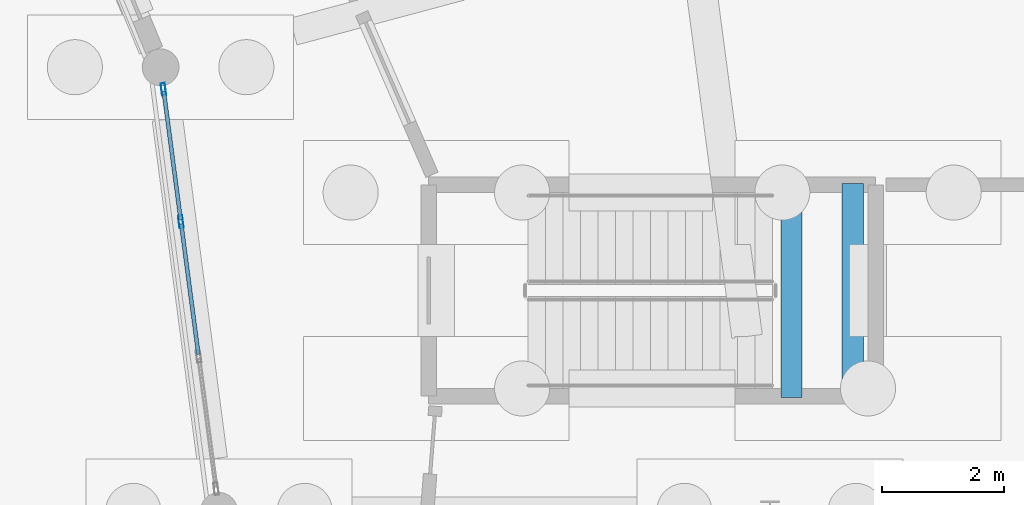
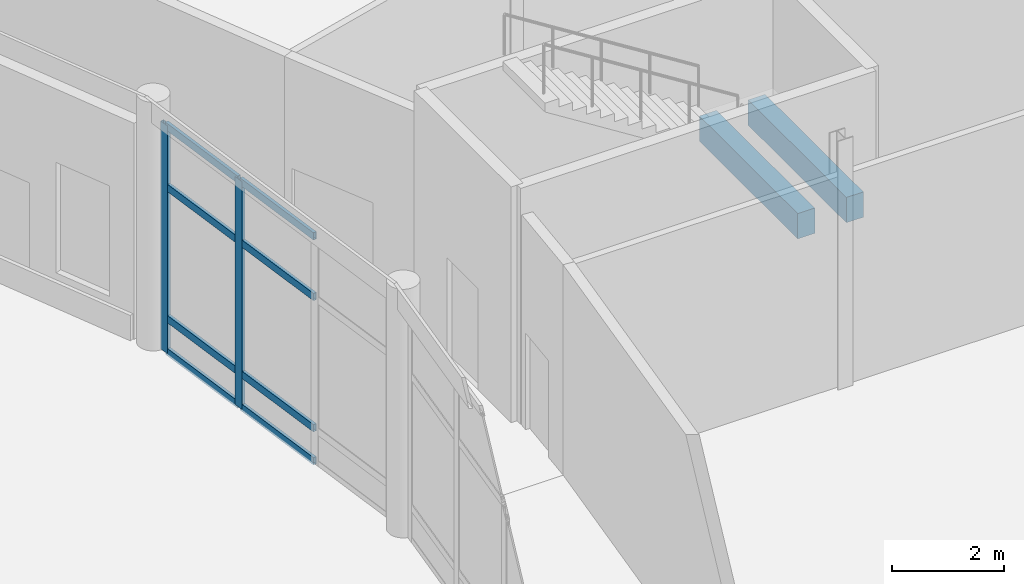
# One storey, part 76 of 137: 10 members, 2 beams, 1 element without a shape of its own.
"""IFC4 building model written with IfcOpenShell, lengths in metres."""

from ifc_helpers import new_model, si_unit, direction, frame, origin, origin_2d, place, context, subcontext, project, spatial, rectangle, hollow_rectangle, extrude, material, material_profile, profile_set, type_object, element, aggregate, save


model = new_model("IFC4")

# Units and contexts
model_context = context("Model", 3, precision=1e-05, world=origin(), true_north=direction((0.0, 1.0)))
body_context = subcontext(model_context, "Body", "Model", "MODEL_VIEW")
ifc_project = project(units=[si_unit("LENGTHUNIT", "METRE"), si_unit("AREAUNIT", "SQUARE_METRE"), si_unit("VOLUMEUNIT", "CUBIC_METRE"), si_unit("PLANEANGLEUNIT", "RADIAN"), si_unit("MASSUNIT", "GRAM", prefix="KILO")], contexts=[model_context])

# Site, building, storey
site_placement = place(None, origin())
site = spatial("IfcSite", under=ifc_project, at=site_placement, CompositionType="ELEMENT")
building_placement = place(site_placement, origin())
building = spatial("IfcBuilding", under=site, at=building_placement, Name="Vondelvale Polytechnic", CompositionType="ELEMENT")
storey_placement = place(building_placement, origin())
storey = spatial("IfcBuildingStorey", under=building, at=storey_placement, Name="L00", CompositionType="ELEMENT", Elevation=0.0)

# Beams
ifc_material_1 = material(Name="Concrete N40 (f'c = 40 MPa)", Category="concrete")
ifc_material_profile_1 = material_profile(ifc_material_1, rectangle(XDim=0.35009765625, YDim=0.550048828125, at=origin_2d()), Name="RC-BM-350x550")
ifc_profile_set_1 = profile_set([ifc_material_profile_1], Name="Concrete N40 (f'c = 40 MPa)")
beam_type = type_object("IfcBeamType", Name="BM-RC350x550", PredefinedType="BEAM", material=ifc_profile_set_1)
for number, where, z_axis, x_axis, name in (
    (1, (139.35009765625, 73.85009765625, 2.22509765625), (0.0, 1.0, 0.0), (-1.0, 0.0, 0.0), "L00 STLD B-06"),
    (2, (140.35009765625, 73.85009765625, 2.22509765625), (0.0, 1.0, 0.0), (-1.0, 0.0, 0.0), "L00 STLD B-06"),
):
    element("IfcBeam", number, at=place(storey_placement, frame(where, z_axis=z_axis, x_axis=x_axis)), inside=storey, type_object=beam_type, Name=name, PredefinedType="BEAM", context=body_context, shape_type="SweptSolid", body=[
        extrude(rectangle(XDim=0.35009765625, YDim=0.550048828125, at=origin_2d()), origin(), (0.0, 0.0, 1.0), 3.5),
    ])

# Curtain wall, members
ifc_material_2 = material(Name="Anodised extruded aluminium 6063-T6", Category="aluminium")
curtain_wall_type = type_object("IfcCurtainWallType", Name="CW-RING-CLOISTER", PredefinedType="NOTDEFINED", material=ifc_material_2)
curtain_wall_placement = place(storey_placement, origin())
curtain_wall = element("IfcCurtainWall", 3, at=curtain_wall_placement, inside=storey, type_object=curtain_wall_type, Name="L00 architectural curtain wall CW-03-071", PredefinedType="NOTDEFINED")
ifc_material_profile_2 = material_profile(ifc_material_2, hollow_rectangle(XDim=0.070068359375, YDim=0.199951171875, WallThickness=0.00390625, at=origin_2d()), Name="CW-MUL-200x70")
ifc_profile_set_2 = profile_set([ifc_material_profile_2], Name="Anodised extruded aluminium 6063-T6")
member_type_1 = type_object("IfcMemberType", Name="CW-MUL-70x200", PredefinedType="MULLION", material=ifc_profile_set_2)
member_1_placement = place(storey_placement, frame((129.378173828125, 76.72265625, 0.0), z_axis=(0.0, 0.0, 1.0), x_axis=(-0.99144462243, -0.130528007165, 0.0)))
member_1 = element("IfcMember", 4, at=member_1_placement, type_object=member_type_1, Name="CW-03-071 mullion 3", PredefinedType="MULLION", context=body_context, shape_type="SweptSolid", body=[
    extrude(hollow_rectangle(XDim=0.070068359375, YDim=0.199951171875, WallThickness=0.00390625, at=origin_2d()), origin(), (0.0, 0.0, 1.0), 4.949951171875),
])
member_2_placement = place(storey_placement, frame((129.09326171875, 78.886474609375, 0.0), z_axis=(0.0, 0.0, 1.0), x_axis=(-0.99144462243, -0.130528007165, 0.0)))
member_2 = element("IfcMember", 5, at=member_2_placement, type_object=member_type_1, Name="CW-03-071 mullion 4", PredefinedType="MULLION", context=body_context, shape_type="SweptSolid", body=[
    extrude(hollow_rectangle(XDim=0.070068359375, YDim=0.199951171875, WallThickness=0.00390625, at=origin_2d()), origin(), (0.0, 0.0, 1.0), 4.949951171875),
])
ifc_material_profile_3 = material_profile(ifc_material_2, hollow_rectangle(XDim=0.06494140625, YDim=0.159912109375, WallThickness=0.00341796875, at=origin_2d()), Name="CW-TRN-160x65")
ifc_profile_set_3 = profile_set([ifc_material_profile_3], Name="Anodised extruded aluminium 6063-T6")
member_type_2 = type_object("IfcMemberType", Name="CW-TRN-70x160", PredefinedType="USERDEFINED", material=ifc_profile_set_3)
member_3_placement = place(storey_placement, frame((129.6630859375, 74.558837890625, 0.032470703125), z_axis=(-0.1305103875, 0.991446941977, 0.0), x_axis=(-0.991446941977, -0.1305103875, 0.0)))
member_3 = element("IfcMember", 6, at=member_3_placement, type_object=member_type_2, Name="CW-03-071 transom 2.1", ObjectType="TRANSOM", PredefinedType="USERDEFINED", context=body_context, shape_type="SweptSolid", body=[
    extrude(hollow_rectangle(XDim=0.06494140625, YDim=0.159912109375, WallThickness=0.00341796875, at=origin_2d()), origin(), (0.0, 0.0, 1.0), 2.1474609375),
])
member_4_placement = place(storey_placement, frame((129.6630859375, 74.558837890625, 0.75), z_axis=(-0.1305103875, 0.991446941977, 0.0), x_axis=(-0.991446941977, -0.1305103875, 0.0)))
member_4 = element("IfcMember", 7, at=member_4_placement, type_object=member_type_2, Name="CW-03-071 transom 2.2", ObjectType="TRANSOM", PredefinedType="USERDEFINED", context=body_context, shape_type="SweptSolid", body=[
    extrude(hollow_rectangle(XDim=0.06494140625, YDim=0.159912109375, WallThickness=0.00341796875, at=origin_2d()), origin(), (0.0, 0.0, 1.0), 2.1474609375),
])
member_5_placement = place(storey_placement, frame((129.6630859375, 74.558837890625, 3.60009765625), z_axis=(-0.1305103875, 0.991446941977, 0.0), x_axis=(-0.991446941977, -0.1305103875, 0.0)))
member_5 = element("IfcMember", 8, at=member_5_placement, type_object=member_type_2, Name="CW-03-071 transom 2.3", ObjectType="TRANSOM", PredefinedType="USERDEFINED", context=body_context, shape_type="SweptSolid", body=[
    extrude(hollow_rectangle(XDim=0.06494140625, YDim=0.159912109375, WallThickness=0.00341796875, at=origin_2d()), origin(), (0.0, 0.0, 1.0), 2.1474609375),
])
member_6_placement = place(storey_placement, frame((129.6630859375, 74.558837890625, 4.91748046875), z_axis=(-0.1305103875, 0.991446941977, 0.0), x_axis=(-0.991446941977, -0.1305103875, 0.0)))
member_6 = element("IfcMember", 9, at=member_6_placement, type_object=member_type_2, Name="CW-03-071 transom 2.4", ObjectType="TRANSOM", PredefinedType="USERDEFINED", context=body_context, shape_type="SweptSolid", body=[
    extrude(hollow_rectangle(XDim=0.06494140625, YDim=0.159912109375, WallThickness=0.00341796875, at=origin_2d()), origin(), (0.0, 0.0, 1.0), 2.1474609375),
])
member_7_placement = place(storey_placement, frame((129.373779296875, 76.75732421875, 0.032470703125), z_axis=(-0.130589036243, 0.991436585775, 0.0), x_axis=(-0.991436585775, -0.130589036243, 0.0)))
member_7 = element("IfcMember", 10, at=member_7_placement, type_object=member_type_2, Name="CW-03-071 transom 3.1", ObjectType="TRANSOM", PredefinedType="USERDEFINED", context=body_context, shape_type="SweptSolid", body=[
    extrude(hollow_rectangle(XDim=0.06494140625, YDim=0.159912109375, WallThickness=0.00341796875, at=origin_2d()), origin(), (0.0, 0.0, 1.0), 2.112548828125),
])
member_8_placement = place(storey_placement, frame((129.373779296875, 76.75732421875, 0.75), z_axis=(-0.130589036243, 0.991436585775, 0.0), x_axis=(-0.991436585775, -0.130589036243, 0.0)))
member_8 = element("IfcMember", 11, at=member_8_placement, type_object=member_type_2, Name="CW-03-071 transom 3.2", ObjectType="TRANSOM", PredefinedType="USERDEFINED", context=body_context, shape_type="SweptSolid", body=[
    extrude(hollow_rectangle(XDim=0.06494140625, YDim=0.159912109375, WallThickness=0.00341796875, at=origin_2d()), origin(), (0.0, 0.0, 1.0), 2.112548828125),
])
member_9_placement = place(storey_placement, frame((129.373779296875, 76.75732421875, 3.60009765625), z_axis=(-0.130589036243, 0.991436585775, 0.0), x_axis=(-0.991436585775, -0.130589036243, 0.0)))
member_9 = element("IfcMember", 12, at=member_9_placement, type_object=member_type_2, Name="CW-03-071 transom 3.3", ObjectType="TRANSOM", PredefinedType="USERDEFINED", context=body_context, shape_type="SweptSolid", body=[
    extrude(hollow_rectangle(XDim=0.06494140625, YDim=0.159912109375, WallThickness=0.00341796875, at=origin_2d()), origin(), (0.0, 0.0, 1.0), 2.112548828125),
])
member_10_placement = place(storey_placement, frame((129.373779296875, 76.75732421875, 4.91748046875), z_axis=(-0.130589036243, 0.991436585775, 0.0), x_axis=(-0.991436585775, -0.130589036243, 0.0)))
member_10 = element("IfcMember", 13, at=member_10_placement, type_object=member_type_2, Name="CW-03-071 transom 3.4", ObjectType="TRANSOM", PredefinedType="USERDEFINED", context=body_context, shape_type="SweptSolid", body=[
    extrude(hollow_rectangle(XDim=0.06494140625, YDim=0.159912109375, WallThickness=0.00341796875, at=origin_2d()), origin(), (0.0, 0.0, 1.0), 2.112548828125),
])
aggregate(curtain_wall, [member_1, member_2, member_3, member_4, member_5, member_6, member_7, member_8, member_9, member_10])

save(model, "model.ifc")
